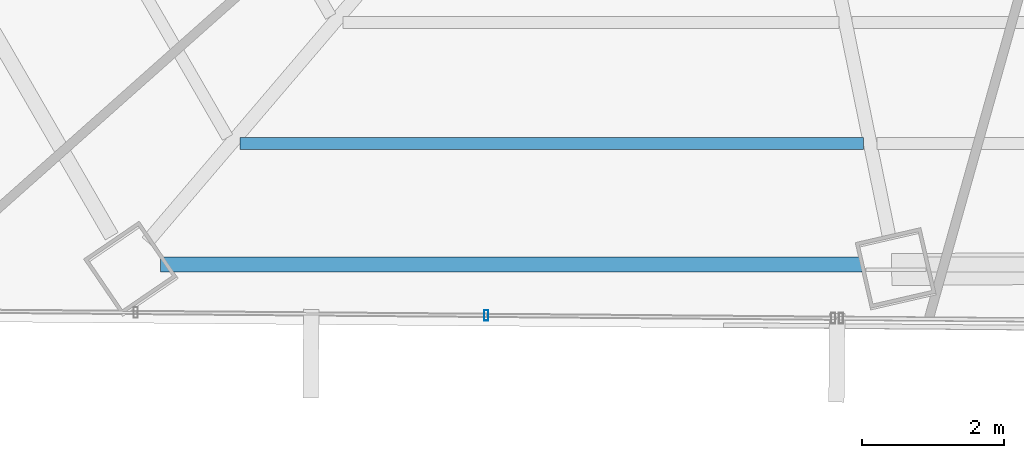
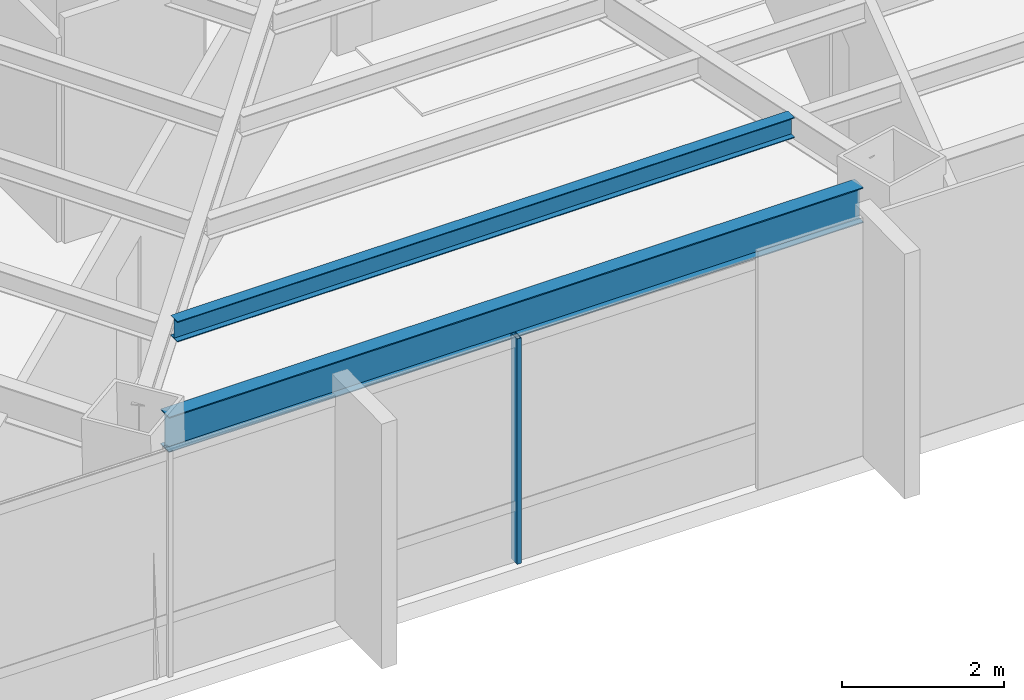
# One storey, part 4 of 39: 2 beams, 1 member, 1 element without a shape of its own.
"""IFC4 building model written with IfcOpenShell, lengths in metres."""

from ifc_helpers import new_model, si_unit, direction, frame, origin, origin_2d, place, context, subcontext, project, spatial, hollow_rectangle, i_section, extrude, source, transform, mapped, material, material_profile, profile_set, type_object, type_shapes, element, aggregate, save


model = new_model("IFC4")

# Units and contexts
model_context = context("Model", 3, precision=1e-05, world=origin(), true_north=direction((0.0, 1.0)))
body_context = subcontext(model_context, "Body", "Model", "MODEL_VIEW")
ifc_project = project(units=[si_unit("LENGTHUNIT", "METRE"), si_unit("AREAUNIT", "SQUARE_METRE"), si_unit("VOLUMEUNIT", "CUBIC_METRE"), si_unit("PLANEANGLEUNIT", "RADIAN"), si_unit("MASSUNIT", "GRAM", prefix="KILO")], contexts=[model_context])

# Site, building, storey
site_placement = place(None, origin())
site = spatial("IfcSite", under=ifc_project, at=site_placement, CompositionType="ELEMENT")
building_placement = place(site_placement, origin())
building = spatial("IfcBuilding", under=site, at=building_placement, Name="Caelisora Broadcast Tower", CompositionType="ELEMENT")
storey_placement = place(building_placement, frame((0.0, 0.0, 142.75)))
storey = spatial("IfcBuildingStorey", under=building, at=storey_placement, Name="L37", CompositionType="ELEMENT", Elevation=142.75)

# Beams
ifc_material_1 = material(Name="Steel Grade 350 (AS/NZS 3679.1)", Category="steel")
ifc_material_profile_1 = material_profile(ifc_material_1, i_section(OverallWidth=0.208984375, OverallDepth=0.532958984375, WebThickness=0.01025390625, FlangeThickness=0.015625, at=origin_2d()), Name="Steel Grade 350 (AS/NZS 3679.1)")
ifc_profile_set_1 = profile_set([ifc_material_profile_1], Name="Steel Grade 350 (AS/NZS 3679.1)")
beam_type_1 = type_object("IfcBeamType", Name="PG05", PredefinedType="BEAM", material=ifc_profile_set_1)
shared_shape_1 = source(origin(), body_context, "Body", "SweptSolid", [
    extrude(i_section(OverallWidth=0.208984375, OverallDepth=0.532958984375, WebThickness=0.01025390625, FlangeThickness=0.015625, at=origin_2d()), origin(), (0.0, 0.0, 1.0), 9.901611328125),
])
type_shapes(beam_type_1, [shared_shape_1])
beam_1_placement = place(storey_placement, frame((22.2275390625, 7.153076171875, 3.133544921875), z_axis=(1.0, 0.0, 0.0), x_axis=(0.0, 1.0, 0.0)))
element("IfcBeam", 1, at=beam_1_placement, inside=storey, type_object=beam_type_1, Name="L37 beam PG05", PredefinedType="BEAM", context=body_context, shape_type="MappedRepresentation", body=[
    mapped(shared_shape_1, transform((0.0, 0.0, 0.0), scale=1.0)),
])
ifc_material_profile_2 = material_profile(ifc_material_1, i_section(OverallWidth=0.166015625, OverallDepth=0.30712890625, WebThickness=0.006591796875, FlangeThickness=0.01171875, at=origin_2d()), Name="Steel Grade 350 (AS/NZS 3679.1)")
ifc_profile_set_2 = profile_set([ifc_material_profile_2], Name="Steel Grade 350 (AS/NZS 3679.1)")
beam_type_2 = type_object("IfcBeamType", Name="SB03", PredefinedType="JOIST", material=ifc_profile_set_2)
shared_shape_2 = source(origin(), body_context, "Body", "SweptSolid", [
    extrude(i_section(OverallWidth=0.166015625, OverallDepth=0.30712890625, WebThickness=0.006591796875, FlangeThickness=0.01171875, at=origin_2d()), origin(), (0.0, 0.0, 1.0), 8.801025390625),
])
type_shapes(beam_type_2, [shared_shape_2])
beam_2_placement = place(storey_placement, frame((23.345458984375, 8.86083984375, 3.246337890625), z_axis=(1.0, 0.0, 0.0), x_axis=(0.0, 1.0, 0.0)))
element("IfcBeam", 2, at=beam_2_placement, inside=storey, type_object=beam_type_2, Name="L37 beam SB03", PredefinedType="JOIST", context=body_context, shape_type="MappedRepresentation", body=[
    mapped(shared_shape_2, transform((0.0, 0.0, 0.0), scale=1.0)),
])

# Curtain wall, member
ifc_material_2 = material(Name="Unitised Aluminium and Low-E Glass Curtain Wall", Category="glass")
curtain_wall_type = type_object("IfcCurtainWallType", Name="CW-Z3", PredefinedType="NOTDEFINED", material=ifc_material_2)
curtain_wall_placement = place(storey_placement, origin())
curtain_wall = element("IfcCurtainWall", 3, at=curtain_wall_placement, inside=storey, type_object=curtain_wall_type, Name="L37 curtain wall CW-Z3", PredefinedType="NOTDEFINED")
ifc_material_3 = material(Name="Aluminium 6063-T6 Anodised Terracotta Bronze", Category="aluminium")
ifc_material_profile_3 = material_profile(ifc_material_3, hollow_rectangle(XDim=0.06005859375, YDim=0.14990234375, WallThickness=0.00341796875, at=origin_2d()), Name="Aluminium 6063-T6 Anodised Terracotta Bronze")
ifc_profile_set_3 = profile_set([ifc_material_profile_3], Name="Aluminium 6063-T6 Anodised Terracotta Bronze")
member_type = type_object("IfcMemberType", Name="CWM-03", PredefinedType="MULLION", material=ifc_profile_set_3)
shared_shape_3 = source(origin(), body_context, "Body", "SweptSolid", [
    extrude(hollow_rectangle(XDim=0.06005859375, YDim=0.14990234375, WallThickness=0.00341796875, at=origin_2d()), origin(), (0.0, 0.0, 1.0), 3.39990234375),
])
type_shapes(member_type, [shared_shape_3])
member_placement = place(storey_placement, frame((26.82421875, 6.434814453125, 0.0), z_axis=(0.0, 0.0, 1.0), x_axis=(1.0, 0.0, 0.0)))
member = element("IfcMember", 4, at=member_placement, type_object=member_type, Name="L37-CW-B07 mullion #1", PredefinedType="MULLION", context=body_context, shape_type="MappedRepresentation", body=[
    mapped(shared_shape_3, transform((0.0, 0.0, 0.0), scale=1.0)),
])
aggregate(curtain_wall, [member])

save(model, "model.ifc")
